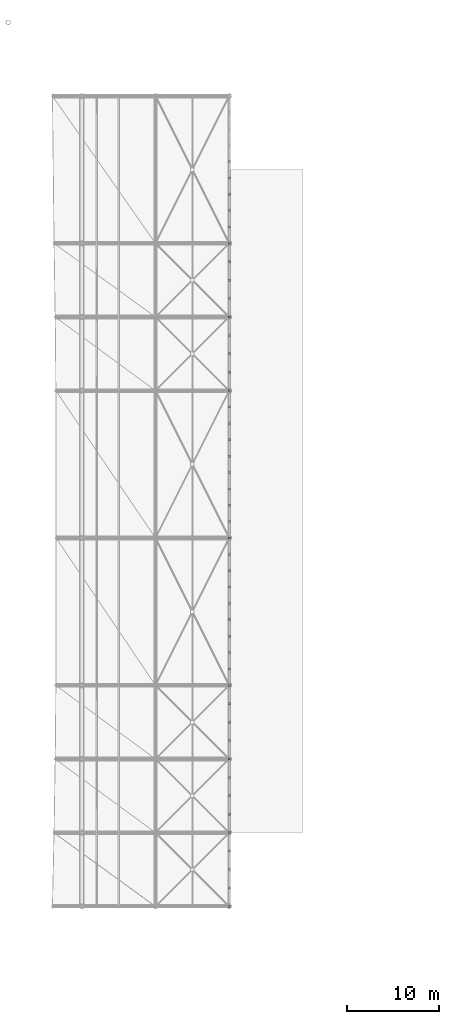
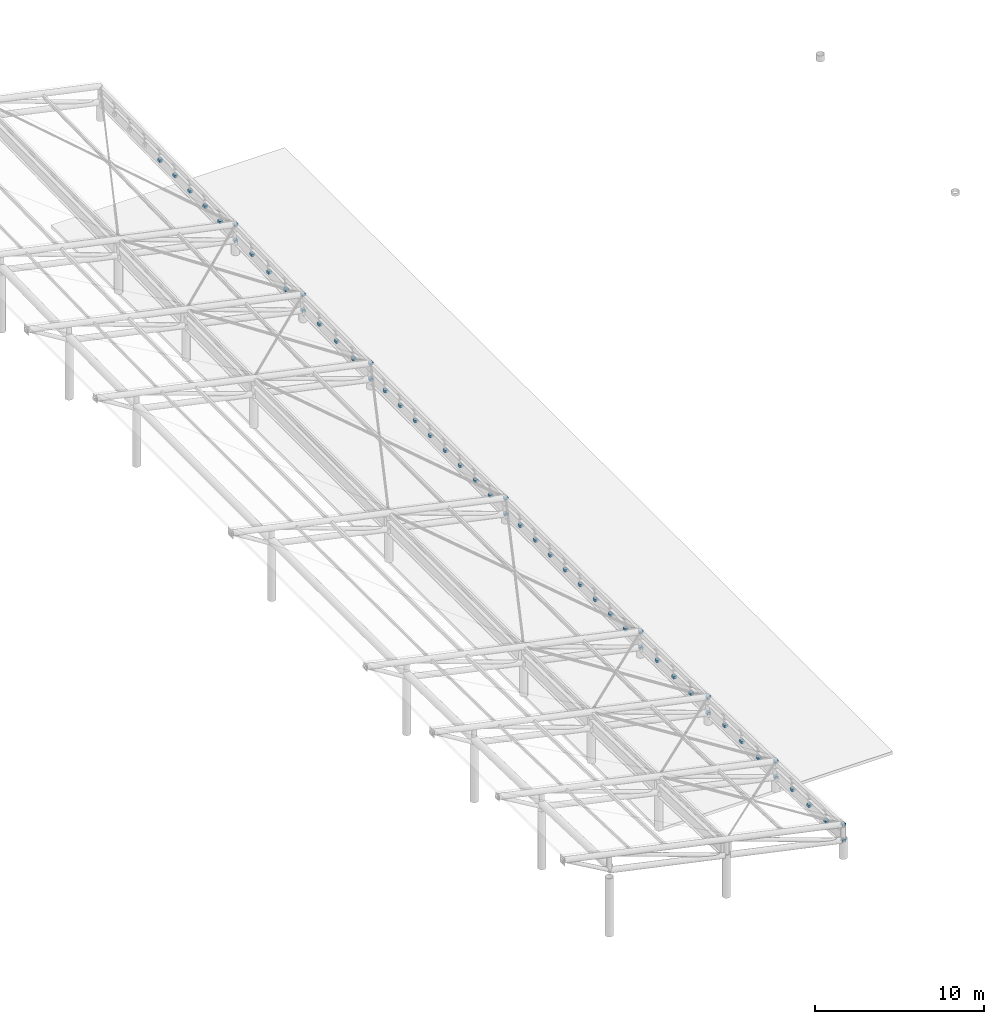
# One storey, part 38 of 41: 52 discrete accessories.
"""IFC4 building model written with IfcOpenShell, lengths in metres."""

from ifc_helpers import new_model, si_unit, direction, frame, origin, origin_2d, place, context, subcontext, project, spatial, rectangle, extrude, material, layer, layer_set, type_object, element, save


model = new_model("IFC4")

# Units and contexts
model_context = context("Model", 3, precision=1e-05, world=origin(), true_north=direction((0.0, 1.0)))
body_context = subcontext(model_context, "Body", "Model", "MODEL_VIEW")
ifc_project = project(units=[si_unit("LENGTHUNIT", "METRE"), si_unit("AREAUNIT", "SQUARE_METRE"), si_unit("VOLUMEUNIT", "CUBIC_METRE"), si_unit("PLANEANGLEUNIT", "RADIAN"), si_unit("MASSUNIT", "GRAM", prefix="KILO")], contexts=[model_context])

# Site, building, storey
site_placement = place(None, origin())
site = spatial("IfcSite", under=ifc_project, at=site_placement, CompositionType="ELEMENT")
building_placement = place(site_placement, origin())
building = spatial("IfcBuilding", under=site, at=building_placement, Name="Haebicheon Civic Stadium", CompositionType="ELEMENT")
storey_placement = place(building_placement, frame((0.0, 0.0, 27.0)))
storey = spatial("IfcBuildingStorey", under=building, at=storey_placement, Name="L07", CompositionType="ELEMENT", Elevation=27.0)

# Discrete accessories
ifc_material = material(Name="White painted steel SM490", Category="steel")
ifc_layer = layer(ifc_material, 0.179931640625, Name="White painted steel SM490")
ifc_layer_set = layer_set([ifc_layer], Name="White painted steel SM490")
discrete_accessory_type = type_object("IfcDiscreteAccessoryType", Name="BRK-END-PLT", PredefinedType="BRACKET", material=ifc_layer_set)
for number, where, z_axis, x_axis, name in (
    (1, (152.0, 48.0, 1.14697265625), (0.0, 0.0, 1.0), (1.0, 0.0, 0.0), "CAN-EAST truss 1 node bolted end connection plate"),
    (2, (152.0, 48.0, 2.296875), (0.0, 0.0, 1.0), (1.0, 0.0, 0.0), "CAN-EAST truss 1 node bolted end connection plate"),
    (3, (152.0, 56.0, 0.85791015625), (0.0, 0.0, 1.0), (1.0, 0.0, 0.0), "CAN-EAST truss 2 node bolted end connection plate"),
    (4, (152.0, 56.0, 2.0078125), (0.0, 0.0, 1.0), (1.0, 0.0, 0.0), "CAN-EAST truss 2 node bolted end connection plate"),
    (5, (152.0, 64.0, 0.65185546875), (0.0, 0.0, 1.0), (1.0, 0.0, 0.0), "CAN-EAST truss 3 node bolted end connection plate"),
    (6, (152.0, 64.0, 1.80224609375), (0.0, 0.0, 1.0), (1.0, 0.0, 0.0), "CAN-EAST truss 3 node bolted end connection plate"),
    (7, (152.0, 72.0, 0.52783203125), (0.0, 0.0, 1.0), (1.0, 0.0, 0.0), "CAN-EAST truss 4 node bolted end connection plate"),
    (8, (152.0, 72.0, 1.67822265625), (0.0, 0.0, 1.0), (1.0, 0.0, 0.0), "CAN-EAST truss 4 node bolted end connection plate"),
    (9, (152.0, 88.0, 0.48681640625), (0.0, 0.0, 1.0), (1.0, 0.0, 0.0), "CAN-EAST truss 5 node bolted end connection plate"),
    (10, (152.0, 88.0, 1.63720703125), (0.0, 0.0, 1.0), (1.0, 0.0, 0.0), "CAN-EAST truss 5 node bolted end connection plate"),
    (11, (152.0, 104.0, 0.52783203125), (0.0, 0.0, 1.0), (1.0, 0.0, 0.0), "CAN-EAST truss 6 node bolted end connection plate"),
    (12, (152.0, 104.0, 1.67822265625), (0.0, 0.0, 1.0), (1.0, 0.0, 0.0), "CAN-EAST truss 6 node bolted end connection plate"),
    (13, (152.0, 112.0, 0.65185546875), (0.0, 0.0, 1.0), (1.0, 0.0, 0.0), "CAN-EAST truss 7 node bolted end connection plate"),
    (14, (152.0, 112.0, 1.80224609375), (0.0, 0.0, 1.0), (1.0, 0.0, 0.0), "CAN-EAST truss 7 node bolted end connection plate"),
    (15, (152.0, 120.0, 0.85791015625), (0.0, 0.0, 1.0), (1.0, 0.0, 0.0), "CAN-EAST truss 8 node bolted end connection plate"),
    (16, (152.0, 120.0, 2.0078125), (0.0, 0.0, 1.0), (1.0, 0.0, 0.0), "CAN-EAST truss 8 node bolted end connection plate"),
    (17, (152.0, 50.0, 1.3251953125), (0.0, 0.0, 1.0), (1.0, 0.0, 0.0), "CAN-EAST hanger base 1.1 bolted end connection plate"),
    (18, (152.0, 52.0, 1.251953125), (0.0, 0.0, 1.0), (1.0, 0.0, 0.0), "CAN-EAST hanger base 1.2 bolted end connection plate"),
    (19, (152.0, 54.0, 1.18017578125), (0.0, 0.0, 1.0), (1.0, 0.0, 0.0), "CAN-EAST hanger base 1.3 bolted end connection plate"),
    (20, (152.0, 58.0, 1.05615234375), (0.0, 0.0, 1.0), (1.0, 0.0, 0.0), "CAN-EAST hanger base 2.1 bolted end connection plate"),
    (21, (152.0, 60.0, 1.0048828125), (0.0, 0.0, 1.0), (1.0, 0.0, 0.0), "CAN-EAST hanger base 2.2 bolted end connection plate"),
    (22, (152.0, 62.0, 0.9541015625), (0.0, 0.0, 1.0), (1.0, 0.0, 0.0), "CAN-EAST hanger base 2.3 bolted end connection plate"),
    (23, (152.0, 66.0, 0.87109375), (0.0, 0.0, 1.0), (1.0, 0.0, 0.0), "CAN-EAST hanger base 3.1 bolted end connection plate"),
    (24, (152.0, 68.0, 0.83984375), (0.0, 0.0, 1.0), (1.0, 0.0, 0.0), "CAN-EAST hanger base 3.2 bolted end connection plate"),
    (25, (152.0, 70.0, 0.80908203125), (0.0, 0.0, 1.0), (1.0, 0.0, 0.0), "CAN-EAST hanger base 3.3 bolted end connection plate"),
    (26, (152.0, 73.778076171875, 0.77294921875), (0.0, 0.0, 1.0), (1.0, 0.0, 0.0), "CAN-EAST hanger base 4.1 bolted end connection plate"),
    (27, (152.0, 75.555908203125, 0.76904296875), (0.0, 0.0, 1.0), (1.0, 0.0, 0.0), "CAN-EAST hanger base 4.2 bolted end connection plate"),
    (28, (152.0, 77.3330078125, 0.76416015625), (0.0, 0.0, 1.0), (1.0, 0.0, 0.0), "CAN-EAST hanger base 4.3 bolted end connection plate"),
    (29, (152.0, 79.111083984375, 0.76025390625), (0.0, 0.0, 1.0), (1.0, 0.0, 0.0), "CAN-EAST hanger base 4.4 bolted end connection plate"),
    (30, (152.0, 80.888916015625, 0.7548828125), (0.0, 0.0, 1.0), (1.0, 0.0, 0.0), "CAN-EAST hanger base 4.5 bolted end connection plate"),
    (31, (152.0, 82.6669921875, 0.7509765625), (0.0, 0.0, 1.0), (1.0, 0.0, 0.0), "CAN-EAST hanger base 4.6 bolted end connection plate"),
    (32, (152.0, 84.444091796875, 0.74609375), (0.0, 0.0, 1.0), (1.0, 0.0, 0.0), "CAN-EAST hanger base 4.7 bolted end connection plate"),
    (33, (152.0, 86.221923828125, 0.7421875), (0.0, 0.0, 1.0), (1.0, 0.0, 0.0), "CAN-EAST hanger base 4.8 bolted end connection plate"),
    (34, (152.0, 89.778076171875, 0.7421875), (0.0, 0.0, 1.0), (1.0, 0.0, 0.0), "CAN-EAST hanger base 5.1 bolted end connection plate"),
    (35, (152.0, 91.555908203125, 0.74609375), (0.0, 0.0, 1.0), (1.0, 0.0, 0.0), "CAN-EAST hanger base 5.2 bolted end connection plate"),
    (36, (152.0, 93.3330078125, 0.7509765625), (0.0, 0.0, 1.0), (1.0, 0.0, 0.0), "CAN-EAST hanger base 5.3 bolted end connection plate"),
    (37, (152.0, 95.111083984375, 0.7548828125), (0.0, 0.0, 1.0), (1.0, 0.0, 0.0), "CAN-EAST hanger base 5.4 bolted end connection plate"),
    (38, (152.0, 96.888916015625, 0.76025390625), (0.0, 0.0, 1.0), (1.0, 0.0, 0.0), "CAN-EAST hanger base 5.5 bolted end connection plate"),
    (39, (152.0, 98.6669921875, 0.76416015625), (0.0, 0.0, 1.0), (1.0, 0.0, 0.0), "CAN-EAST hanger base 5.6 bolted end connection plate"),
    (40, (152.0, 100.444091796875, 0.76904296875), (0.0, 0.0, 1.0), (1.0, 0.0, 0.0), "CAN-EAST hanger base 5.7 bolted end connection plate"),
    (41, (152.0, 102.221923828125, 0.77294921875), (0.0, 0.0, 1.0), (1.0, 0.0, 0.0), "CAN-EAST hanger base 5.8 bolted end connection plate"),
    (42, (152.0, 106.0, 0.80908203125), (0.0, 0.0, 1.0), (1.0, 0.0, 0.0), "CAN-EAST hanger base 6.1 bolted end connection plate"),
    (43, (152.0, 108.0, 0.83984375), (0.0, 0.0, 1.0), (1.0, 0.0, 0.0), "CAN-EAST hanger base 6.2 bolted end connection plate"),
    (44, (152.0, 110.0, 0.87109375), (0.0, 0.0, 1.0), (1.0, 0.0, 0.0), "CAN-EAST hanger base 6.3 bolted end connection plate"),
    (45, (152.0, 114.0, 0.9541015625), (0.0, 0.0, 1.0), (1.0, 0.0, 0.0), "CAN-EAST hanger base 7.1 bolted end connection plate"),
    (46, (152.0, 116.0, 1.0048828125), (0.0, 0.0, 1.0), (1.0, 0.0, 0.0), "CAN-EAST hanger base 7.2 bolted end connection plate"),
    (47, (152.0, 118.0, 1.05615234375), (0.0, 0.0, 1.0), (1.0, 0.0, 0.0), "CAN-EAST hanger base 7.3 bolted end connection plate"),
    (48, (152.0, 121.778076171875, 1.14013671875), (0.0, 0.0, 1.0), (1.0, 0.0, 0.0), "CAN-EAST hanger base 8.1 bolted end connection plate"),
    (49, (152.0, 123.555908203125, 1.171875), (0.0, 0.0, 1.0), (1.0, 0.0, 0.0), "CAN-EAST hanger base 8.2 bolted end connection plate"),
    (50, (152.0, 125.3330078125, 1.2041015625), (0.0, 0.0, 1.0), (1.0, 0.0, 0.0), "CAN-EAST hanger base 8.3 bolted end connection plate"),
    (51, (152.0, 127.111083984375, 1.23583984375), (0.0, 0.0, 1.0), (1.0, 0.0, 0.0), "CAN-EAST hanger base 8.4 bolted end connection plate"),
    (52, (152.0, 128.888916015625, 1.26904296875), (0.0, 0.0, 1.0), (1.0, 0.0, 0.0), "CAN-EAST hanger base 8.5 bolted end connection plate"),
):
    element("IfcDiscreteAccessory", number, at=place(storey_placement, frame(where, z_axis=z_axis, x_axis=x_axis)), inside=storey, type_object=discrete_accessory_type, material=ifc_layer_set, Name=name, PredefinedType="BRACKET", context=body_context, shape_type="SweptSolid", body=[
        extrude(rectangle(XDim=0.239990234375, YDim=0.239990234375, at=origin_2d()), origin(), (0.0, 0.0, 1.0), 0.179931640625),
    ])

save(model, "model.ifc")
